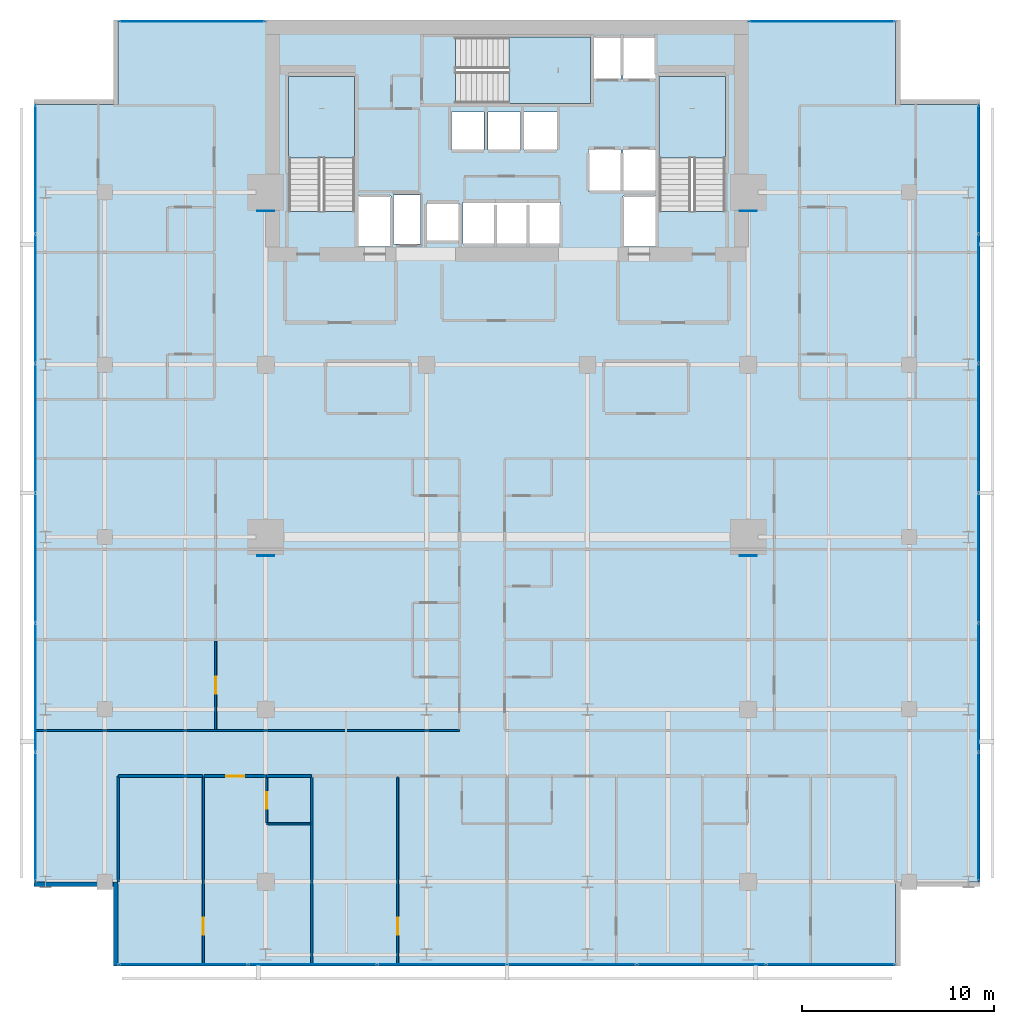
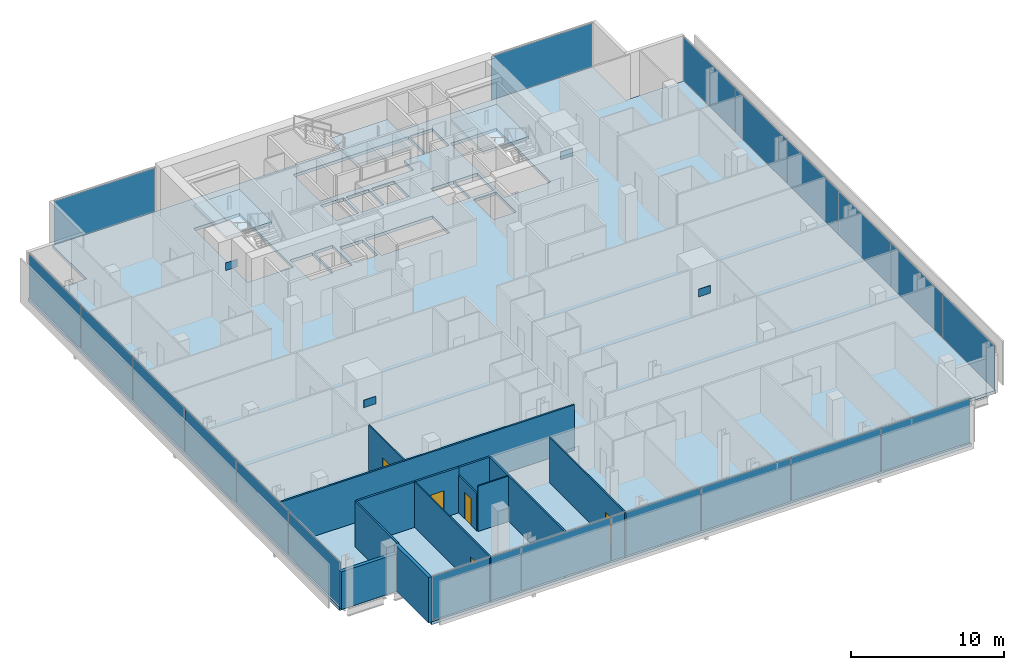
# One storey, part 26 of 33: 24 plates, 13 walls, 5 doors, 4 slabs, 5 openings, 8 elements without a shape of their own.
"""IFC4 building model written with IfcOpenShell, lengths in metres."""

from ifc_helpers import new_model, si_unit, direction, frame, frame_2d, origin, origin_2d, place, context, subcontext, project, spatial, polyline, rectangle, outline, extrude, material, layer, layer_set, type_object, element, fill, aggregate, save


model = new_model("IFC4")

# Units and contexts
model_context = context("Model", 3, precision=1e-05, world=origin(), true_north=direction((0.0, 1.0)))
body_context = subcontext(model_context, "Body", "Model", "MODEL_VIEW")
ifc_project = project(units=[si_unit("LENGTHUNIT", "METRE"), si_unit("AREAUNIT", "SQUARE_METRE"), si_unit("VOLUMEUNIT", "CUBIC_METRE"), si_unit("PLANEANGLEUNIT", "RADIAN"), si_unit("MASSUNIT", "GRAM", prefix="KILO")], contexts=[model_context])

# Site, building, storey
site_placement = place(None, origin())
site = spatial("IfcSite", under=ifc_project, at=site_placement, CompositionType="ELEMENT")
building_placement = place(site_placement, origin())
building = spatial("IfcBuilding", under=site, at=building_placement, Name="Maruvema Waterfront Hotel and Observation Tower", CompositionType="ELEMENT")
storey_placement = place(building_placement, frame((0.0, 0.0, 138.949951171875)))
storey = spatial("IfcBuildingStorey", under=building, at=storey_placement, Name="L33", CompositionType="ELEMENT", Elevation=138.949951171875)

# Slab
ifc_material_1 = material(Name="Concrete C50/60", Category="concrete")
ifc_layer_1 = layer(ifc_material_1, 0.239990234375, Name="Reinforced Concrete Floor Slab 240 mm")
ifc_layer_set_1 = layer_set([ifc_layer_1], Name="Concrete C50/60")
slab_type_1 = type_object("IfcSlabType", Name="Reinforced Concrete Floor Slab 240 mm", PredefinedType="FLOOR", material=ifc_layer_set_1)
slab_1_placement = place(storey_placement, frame((0.0, 0.0, -0.239990234375)))
element("IfcSlab", 1, at=slab_1_placement, inside=storey, type_object=slab_type_1, Name="L33 Structural Floor Slab", PredefinedType="FLOOR", context=body_context, shape_type="SweptSolid", body=[
    extrude(outline(polyline([(17.5, 4.60009765625), (58.10009765625, 4.60009765625), (58.10009765625, 9.0), (62.5, 9.0), (62.5, 49.60009765625), (58.10009765625, 49.60009765625), (58.10009765625, 54.0), (17.5, 54.0), (17.5, 49.60009765625), (13.10009765625, 49.60009765625), (13.10009765625, 9.0), (17.5, 9.0), (17.5, 4.60009765625)]), holes=[polyline([(26.39990234375, 44.00048828125), (26.39990234375, 51.050048828125), (29.85009765625, 51.050048828125), (29.85009765625, 44.00048828125), (26.39990234375, 44.00048828125)]), polyline([(30.050048828125, 44.800048828125), (31.75, 44.800048828125), (31.75, 42.169921875), (30.050048828125, 42.169921875), (30.050048828125, 44.800048828125)]), polyline([(31.8798828125, 44.860107421875), (33.280029296875, 44.860107421875), (33.280029296875, 42.2900390625), (31.8798828125, 42.2900390625), (31.8798828125, 44.860107421875)]), polyline([(33.60009765625, 44.449951171875), (35.300048828125, 44.449951171875), (35.300048828125, 42.449951171875), (33.60009765625, 42.449951171875), (33.60009765625, 44.449951171875)]), polyline([(34.89990234375, 49.199951171875), (36.60009765625, 49.199951171875), (36.60009765625, 47.199951171875), (34.89990234375, 47.199951171875), (34.89990234375, 49.199951171875)]), polyline([(36.800048828125, 49.199951171875), (38.5, 49.199951171875), (38.5, 47.199951171875), (36.800048828125, 47.199951171875), (36.800048828125, 49.199951171875)]), polyline([(35.5, 42.300048828125), (35.5, 44.5), (40.60009765625, 44.5), (40.60009765625, 42.300048828125), (35.5, 42.300048828125)]), polyline([(35.1005859375, 53.10009765625), (43.75, 53.10009765625), (43.75, 50.89990234375), (42.14990234375, 50.89990234375), (42.14990234375, 49.64990234375), (35.1005859375, 49.64990234375), (35.1005859375, 53.10009765625)]), polyline([(38.699951171875, 49.199951171875), (40.39990234375, 49.199951171875), (40.39990234375, 47.199951171875), (38.699951171875, 47.199951171875), (38.699951171875, 49.199951171875)]), polyline([(42.050048828125, 47.25), (43.75, 47.25), (43.75, 45.050048828125), (42.050048828125, 45.050048828125), (42.050048828125, 47.25)]), polyline([(43.85009765625, 44.800048828125), (45.550048828125, 44.800048828125), (45.550048828125, 42.169921875), (43.85009765625, 42.169921875), (43.85009765625, 44.800048828125)]), polyline([(43.85009765625, 47.25), (45.550048828125, 47.25), (45.550048828125, 45.050048828125), (43.85009765625, 45.050048828125), (43.85009765625, 47.25)]), polyline([(45.550048828125, 53.10009765625), (45.550048828125, 50.89990234375), (43.85009765625, 50.89990234375), (43.85009765625, 53.10009765625), (45.550048828125, 53.10009765625)]), polyline([(45.75, 44.00048828125), (45.75, 51.050048828125), (49.199951171875, 51.050048828125), (49.199951171875, 44.00048828125), (45.75, 44.00048828125)])]), origin(), (0.0, 0.0, 1.0), 0.239990234375),
])

# Curtain wall, plates
ifc_material_2 = material(Name="Anodised bronze aluminium and solar-control low-E IGU", Category="aluminium")
ifc_layer_2 = layer(ifc_material_2, 0.159912109375, Name="Zone 2 Amber Inner Thermal Curtain Wall System CW-03")
ifc_layer_set_2 = layer_set([ifc_layer_2], Name="Anodised bronze aluminium and solar-control low-E IGU")
curtain_wall_type = type_object("IfcCurtainWallType", Name="Zone 2 Amber Inner Thermal Curtain Wall System CW-03", PredefinedType="USERDEFINED", material=ifc_layer_set_2)
curtain_wall_1_placement = place(storey_placement, origin())
curtain_wall_1 = element("IfcCurtainWall", 2, at=curtain_wall_1_placement, inside=storey, type_object=curtain_wall_type, Name="L33 Curtain Wall CW-L33-S", ObjectType="UNITISED CURTAIN WALL", PredefinedType="USERDEFINED")
ifc_material_3 = material(Name="Laminated low-E solar-control double glazing", Category="glass")
ifc_layer_3 = layer(ifc_material_3, 0.035888671875, Name="Solar Control Double-Glazed Curtain Panel 36 mm")
ifc_layer_set_3 = layer_set([ifc_layer_3], Name="Laminated low-E solar-control double glazing")
plate_type_1 = type_object("IfcPlateType", Name="Solar Control Double-Glazed Curtain Panel 36 mm", PredefinedType="CURTAIN_PANEL", material=ifc_layer_set_3)
plate_1_placement = place(storey_placement, frame((20.8984375, 4.679931640625, 0.06005859375), z_axis=(0.0, 0.0, 1.0), x_axis=(1.0, 0.0, 0.0)))
plate_1 = element("IfcPlate", 3, at=plate_1_placement, type_object=plate_type_1, Name="CW-03 panel 1.1", PredefinedType="CURTAIN_PANEL", context=body_context, shape_type="SweptSolid", body=[
    extrude(rectangle(XDim=6.6767578125, YDim=0.028076171875, at=origin_2d()), origin(), (0.0, 0.0, 1.0), 3.489990234375),
])
plate_2_placement = place(storey_placement, frame((27.64990234375, 4.679931640625, 0.06005859375), z_axis=(0.0, 0.0, 1.0), x_axis=(1.0, 0.0, 0.0)))
plate_2 = element("IfcPlate", 4, at=plate_2_placement, type_object=plate_type_1, Name="CW-03 panel 2.1", PredefinedType="CURTAIN_PANEL", context=body_context, shape_type="SweptSolid", body=[
    extrude(rectangle(XDim=6.706787109375, YDim=0.028076171875, at=origin_2d()), origin(), (0.0, 0.0, 1.0), 3.489990234375),
])
plate_3_placement = place(storey_placement, frame((34.416748046875, 4.679931640625, 0.06005859375), z_axis=(0.0, 0.0, 1.0), x_axis=(1.0, 0.0, 0.0)))
plate_3 = element("IfcPlate", 5, at=plate_3_placement, type_object=plate_type_1, Name="CW-03 panel 3.1", PredefinedType="CURTAIN_PANEL", context=body_context, shape_type="SweptSolid", body=[
    extrude(rectangle(XDim=6.706787109375, YDim=0.028076171875, at=origin_2d()), origin(), (0.0, 0.0, 1.0), 3.489990234375),
])
plate_4_placement = place(storey_placement, frame((41.183349609375, 4.679931640625, 0.06005859375), z_axis=(0.0, 0.0, 1.0), x_axis=(1.0, 0.0, 0.0)))
plate_4 = element("IfcPlate", 6, at=plate_4_placement, type_object=plate_type_1, Name="CW-03 panel 4.1", PredefinedType="CURTAIN_PANEL", context=body_context, shape_type="SweptSolid", body=[
    extrude(rectangle(XDim=6.706787109375, YDim=0.028076171875, at=origin_2d()), origin(), (0.0, 0.0, 1.0), 3.489990234375),
])
plate_5_placement = place(storey_placement, frame((47.949951171875, 4.679931640625, 0.06005859375), z_axis=(0.0, 0.0, 1.0), x_axis=(1.0, 0.0, 0.0)))
plate_5 = element("IfcPlate", 7, at=plate_5_placement, type_object=plate_type_1, Name="CW-03 panel 5.1", PredefinedType="CURTAIN_PANEL", context=body_context, shape_type="SweptSolid", body=[
    extrude(rectangle(XDim=6.706787109375, YDim=0.028076171875, at=origin_2d()), origin(), (0.0, 0.0, 1.0), 3.489990234375),
])
plate_6_placement = place(storey_placement, frame((54.70166015625, 4.679931640625, 0.06005859375), z_axis=(0.0, 0.0, 1.0), x_axis=(1.0, 0.0, 0.0)))
plate_6 = element("IfcPlate", 8, at=plate_6_placement, type_object=plate_type_1, Name="CW-03 panel 6.1", PredefinedType="CURTAIN_PANEL", context=body_context, shape_type="SweptSolid", body=[
    extrude(rectangle(XDim=6.6767578125, YDim=0.028076171875, at=origin_2d()), origin(), (0.0, 0.0, 1.0), 3.489990234375),
])
aggregate(curtain_wall_1, [plate_1, plate_2, plate_3, plate_4, plate_5, plate_6])

curtain_wall_2_placement = place(storey_placement, origin())
curtain_wall_2 = element("IfcCurtainWall", 9, at=curtain_wall_2_placement, inside=storey, type_object=curtain_wall_type, Name="L33 Curtain Wall CW-L33-E", ObjectType="UNITISED CURTAIN WALL", PredefinedType="USERDEFINED")
plate_7_placement = place(storey_placement, frame((62.419921875, 12.3984375, 0.06005859375), z_axis=(0.0, 0.0, 1.0), x_axis=(0.0, 1.0, 0.0)))
plate_7 = element("IfcPlate", 10, at=plate_7_placement, type_object=plate_type_1, Name="CW-03 panel 1.1", PredefinedType="CURTAIN_PANEL", context=body_context, shape_type="SweptSolid", body=[
    extrude(rectangle(XDim=6.6767578125, YDim=0.028076171875, at=origin_2d()), origin(), (0.0, 0.0, 1.0), 3.489990234375),
])
plate_8_placement = place(storey_placement, frame((62.419921875, 19.14990234375, 0.06005859375), z_axis=(0.0, 0.0, 1.0), x_axis=(0.0, 1.0, 0.0)))
plate_8 = element("IfcPlate", 11, at=plate_8_placement, type_object=plate_type_1, Name="CW-03 panel 2.1", PredefinedType="CURTAIN_PANEL", context=body_context, shape_type="SweptSolid", body=[
    extrude(rectangle(XDim=6.706787109375, YDim=0.028076171875, at=origin_2d()), origin(), (0.0, 0.0, 1.0), 3.489990234375),
])
plate_9_placement = place(storey_placement, frame((62.419921875, 25.916748046875, 0.06005859375), z_axis=(0.0, 0.0, 1.0), x_axis=(0.0, 1.0, 0.0)))
plate_9 = element("IfcPlate", 12, at=plate_9_placement, type_object=plate_type_1, Name="CW-03 panel 3.1", PredefinedType="CURTAIN_PANEL", context=body_context, shape_type="SweptSolid", body=[
    extrude(rectangle(XDim=6.706787109375, YDim=0.028076171875, at=origin_2d()), origin(), (0.0, 0.0, 1.0), 3.489990234375),
])
plate_10_placement = place(storey_placement, frame((62.419921875, 32.683349609375, 0.06005859375), z_axis=(0.0, 0.0, 1.0), x_axis=(0.0, 1.0, 0.0)))
plate_10 = element("IfcPlate", 13, at=plate_10_placement, type_object=plate_type_1, Name="CW-03 panel 4.1", PredefinedType="CURTAIN_PANEL", context=body_context, shape_type="SweptSolid", body=[
    extrude(rectangle(XDim=6.706787109375, YDim=0.028076171875, at=origin_2d()), origin(), (0.0, 0.0, 1.0), 3.489990234375),
])
plate_11_placement = place(storey_placement, frame((62.419921875, 39.449951171875, 0.06005859375), z_axis=(0.0, 0.0, 1.0), x_axis=(0.0, 1.0, 0.0)))
plate_11 = element("IfcPlate", 14, at=plate_11_placement, type_object=plate_type_1, Name="CW-03 panel 5.1", PredefinedType="CURTAIN_PANEL", context=body_context, shape_type="SweptSolid", body=[
    extrude(rectangle(XDim=6.706787109375, YDim=0.028076171875, at=origin_2d()), origin(), (0.0, 0.0, 1.0), 3.489990234375),
])
plate_12_placement = place(storey_placement, frame((62.419921875, 46.20166015625, 0.06005859375), z_axis=(0.0, 0.0, 1.0), x_axis=(0.0, 1.0, 0.0)))
plate_12 = element("IfcPlate", 15, at=plate_12_placement, type_object=plate_type_1, Name="CW-03 panel 6.1", PredefinedType="CURTAIN_PANEL", context=body_context, shape_type="SweptSolid", body=[
    extrude(rectangle(XDim=6.6767578125, YDim=0.028076171875, at=origin_2d()), origin(), (0.0, 0.0, 1.0), 3.489990234375),
])
aggregate(curtain_wall_2, [plate_7, plate_8, plate_9, plate_10, plate_11, plate_12])

curtain_wall_3_placement = place(storey_placement, origin())
curtain_wall_3 = element("IfcCurtainWall", 16, at=curtain_wall_3_placement, inside=storey, type_object=curtain_wall_type, Name="L33 Curtain Wall CW-L33-W", ObjectType="UNITISED CURTAIN WALL", PredefinedType="USERDEFINED")
plate_13_placement = place(storey_placement, frame((13.179931640625, 46.20166015625, 0.06005859375), z_axis=(0.0, 0.0, 1.0), x_axis=(0.0, -1.0, 0.0)))
plate_13 = element("IfcPlate", 17, at=plate_13_placement, type_object=plate_type_1, Name="CW-03 panel 1.1", PredefinedType="CURTAIN_PANEL", context=body_context, shape_type="SweptSolid", body=[
    extrude(rectangle(XDim=6.6767578125, YDim=0.028076171875, at=origin_2d()), origin(), (0.0, 0.0, 1.0), 3.489990234375),
])
plate_14_placement = place(storey_placement, frame((13.179931640625, 39.449951171875, 0.06005859375), z_axis=(0.0, 0.0, 1.0), x_axis=(0.0, -1.0, 0.0)))
plate_14 = element("IfcPlate", 18, at=plate_14_placement, type_object=plate_type_1, Name="CW-03 panel 2.1", PredefinedType="CURTAIN_PANEL", context=body_context, shape_type="SweptSolid", body=[
    extrude(rectangle(XDim=6.706787109375, YDim=0.028076171875, at=origin_2d()), origin(), (0.0, 0.0, 1.0), 3.489990234375),
])
plate_15_placement = place(storey_placement, frame((13.179931640625, 32.683349609375, 0.06005859375), z_axis=(0.0, 0.0, 1.0), x_axis=(0.0, -1.0, 0.0)))
plate_15 = element("IfcPlate", 19, at=plate_15_placement, type_object=plate_type_1, Name="CW-03 panel 3.1", PredefinedType="CURTAIN_PANEL", context=body_context, shape_type="SweptSolid", body=[
    extrude(rectangle(XDim=6.706787109375, YDim=0.028076171875, at=origin_2d()), origin(), (0.0, 0.0, 1.0), 3.489990234375),
])
plate_16_placement = place(storey_placement, frame((13.179931640625, 25.916748046875, 0.06005859375), z_axis=(0.0, 0.0, 1.0), x_axis=(0.0, -1.0, 0.0)))
plate_16 = element("IfcPlate", 20, at=plate_16_placement, type_object=plate_type_1, Name="CW-03 panel 4.1", PredefinedType="CURTAIN_PANEL", context=body_context, shape_type="SweptSolid", body=[
    extrude(rectangle(XDim=6.706787109375, YDim=0.028076171875, at=origin_2d()), origin(), (0.0, 0.0, 1.0), 3.489990234375),
])
plate_17_placement = place(storey_placement, frame((13.179931640625, 19.14990234375, 0.06005859375), z_axis=(0.0, 0.0, 1.0), x_axis=(0.0, -1.0, 0.0)))
plate_17 = element("IfcPlate", 21, at=plate_17_placement, type_object=plate_type_1, Name="CW-03 panel 5.1", PredefinedType="CURTAIN_PANEL", context=body_context, shape_type="SweptSolid", body=[
    extrude(rectangle(XDim=6.706787109375, YDim=0.028076171875, at=origin_2d()), origin(), (0.0, 0.0, 1.0), 3.489990234375),
])
plate_18_placement = place(storey_placement, frame((13.179931640625, 12.3984375, 0.06005859375), z_axis=(0.0, 0.0, 1.0), x_axis=(0.0, -1.0, 0.0)))
plate_18 = element("IfcPlate", 22, at=plate_18_placement, type_object=plate_type_1, Name="CW-03 panel 6.1", PredefinedType="CURTAIN_PANEL", context=body_context, shape_type="SweptSolid", body=[
    extrude(rectangle(XDim=6.6767578125, YDim=0.028076171875, at=origin_2d()), origin(), (0.0, 0.0, 1.0), 3.489990234375),
])
aggregate(curtain_wall_3, [plate_13, plate_14, plate_15, plate_16, plate_17, plate_18])

# Curtain wall, plate
curtain_wall_4_placement = place(storey_placement, origin())
curtain_wall_4 = element("IfcCurtainWall", 23, at=curtain_wall_4_placement, inside=storey, type_object=curtain_wall_type, Name="L33 Curtain Wall CW-L33-NW", ObjectType="UNITISED CURTAIN WALL", PredefinedType="USERDEFINED")
plate_19_placement = place(storey_placement, frame((21.35009765625, 53.919921875, 0.06005859375), z_axis=(0.0, 0.0, 1.0), x_axis=(-1.0, 0.0, 0.0)))
plate_19 = element("IfcPlate", 24, at=plate_19_placement, type_object=plate_type_1, Name="CW-03 panel 1.1", PredefinedType="CURTAIN_PANEL", context=body_context, shape_type="SweptSolid", body=[
    extrude(rectangle(XDim=7.580078125, YDim=0.028076171875, at=origin_2d()), origin(), (0.0, 0.0, 1.0), 3.489990234375),
])
aggregate(curtain_wall_4, [plate_19])

curtain_wall_5_placement = place(storey_placement, origin())
curtain_wall_5 = element("IfcCurtainWall", 25, at=curtain_wall_5_placement, inside=storey, type_object=curtain_wall_type, Name="L33 Curtain Wall CW-L33-NE", ObjectType="UNITISED CURTAIN WALL", PredefinedType="USERDEFINED")
plate_20_placement = place(storey_placement, frame((54.25, 53.919921875, 0.06005859375), z_axis=(0.0, 0.0, 1.0), x_axis=(-1.0, 0.0, 0.0)))
plate_20 = element("IfcPlate", 26, at=plate_20_placement, type_object=plate_type_1, Name="CW-03 panel 1.1", PredefinedType="CURTAIN_PANEL", context=body_context, shape_type="SweptSolid", body=[
    extrude(rectangle(XDim=7.580078125, YDim=0.028076171875, at=origin_2d()), origin(), (0.0, 0.0, 1.0), 3.489990234375),
])
aggregate(curtain_wall_5, [plate_20])

# Stair, slab
ifc_material_4 = material(Name="Concrete C50/60", Category="concrete")
stair_type = type_object("IfcStairType", Name="Dogleg Exit Stair 1650 mm (22R x 175.0 mm)", PredefinedType="HALF_TURN_STAIR", material=ifc_material_4)
stair_1_placement = place(storey_placement, origin())
stair_1 = element("IfcStair", 27, at=stair_1_placement, inside=storey, type_object=stair_type, Name="L33 ST-01", PredefinedType="HALF_TURN_STAIR")
ifc_material_5 = material(Name="Concrete C50/60", Category="concrete")
ifc_layer_4 = layer(ifc_material_5, 0.219970703125, Name="Stair Concrete Landing Slab 220 mm")
ifc_layer_set_4 = layer_set([ifc_layer_4], Name="Concrete C50/60")
slab_type_2 = type_object("IfcSlabType", Name="Stair Concrete Landing Slab 220 mm", PredefinedType="LANDING", material=ifc_layer_set_4)
slab_2_placement = place(storey_placement, frame((0.0, 0.0, 1.705078125)))
slab_2 = element("IfcSlab", 28, at=slab_2_placement, type_object=slab_type_2, Name="ST-01 landing 1", PredefinedType="LANDING", context=body_context, shape_type="SweptSolid", body=[
    extrude(outline(polyline([(29.85009765625, 46.800048828125), (29.85009765625, 51.050048828125), (26.39990234375, 51.050048828125), (26.39990234375, 46.800048828125), (29.85009765625, 46.800048828125)])), origin(), (0.0, 0.0, 1.0), 0.219970703125),
])
aggregate(stair_1, [slab_2])

stair_2_placement = place(storey_placement, origin())
stair_2 = element("IfcStair", 29, at=stair_2_placement, inside=storey, type_object=stair_type, Name="L33 ST-02", PredefinedType="HALF_TURN_STAIR")
slab_3_placement = place(storey_placement, frame((0.0, 0.0, 1.705078125)))
slab_3 = element("IfcSlab", 30, at=slab_3_placement, type_object=slab_type_2, Name="ST-02 landing 1", PredefinedType="LANDING", context=body_context, shape_type="SweptSolid", body=[
    extrude(outline(polyline([(37.89990234375, 49.64990234375), (42.14990234375, 49.64990234375), (42.14990234375, 53.10009765625), (37.89990234375, 53.10009765625), (37.89990234375, 49.64990234375)])), origin(), (0.0, 0.0, 1.0), 0.219970703125),
])
aggregate(stair_2, [slab_3])

stair_3_placement = place(storey_placement, origin())
stair_3 = element("IfcStair", 31, at=stair_3_placement, inside=storey, type_object=stair_type, Name="L33 ST-03", PredefinedType="HALF_TURN_STAIR")
slab_4_placement = place(storey_placement, frame((0.0, 0.0, 1.705078125)))
slab_4 = element("IfcSlab", 32, at=slab_4_placement, type_object=slab_type_2, Name="ST-03 landing 1", PredefinedType="LANDING", context=body_context, shape_type="SweptSolid", body=[
    extrude(outline(polyline([(49.199951171875, 46.800048828125), (49.199951171875, 51.050048828125), (45.75, 51.050048828125), (45.75, 46.800048828125), (49.199951171875, 46.800048828125)])), origin(), (0.0, 0.0, 1.0), 0.219970703125),
])
aggregate(stair_3, [slab_4])

# Plates
ifc_material_6 = material(Name="Steel ABNT NBR 7007 AR 415 (ASTM A572 Grade 50)", Category="steel")
ifc_layer_5 = layer(ifc_material_6, 0.0400390625, Name="Structural Truss Node Gusset Plate 40 mm")
ifc_layer_set_5 = layer_set([ifc_layer_5], Name="Steel ABNT NBR 7007 AR 415 (ASTM A572 Grade 50)")
plate_type_2 = type_object("IfcPlateType", Name="Structural Truss Node Gusset Plate 40 mm", PredefinedType="USERDEFINED", material=ifc_layer_set_5)
for number, where, z_axis, x_axis, name in (
    (33, (25.199951171875, 26.030029296875, 1.5), (0.0, 0.0, 1.0), (1.0, 0.0, 0.0), "L33 MC-01 Moment Frame Continuity Gusset Plate"),
    (34, (50.39990234375, 26.030029296875, 1.5), (0.0, 0.0, 1.0), (1.0, 0.0, 0.0), "L33 MC-02 Moment Frame Continuity Gusset Plate"),
    (35, (25.199951171875, 44.030029296875, 1.5), (0.0, 0.0, 1.0), (1.0, 0.0, 0.0), "L33 MC-03 Moment Frame Continuity Gusset Plate"),
    (36, (50.39990234375, 44.030029296875, 1.5), (0.0, 0.0, 1.0), (1.0, 0.0, 0.0), "L33 MC-04 Moment Frame Continuity Gusset Plate"),
):
    element("IfcPlate", number, at=place(storey_placement, frame(where, z_axis=z_axis, x_axis=x_axis)), inside=storey, type_object=plate_type_2, Name=name, ObjectType="GUSSET_PLATE", PredefinedType="USERDEFINED", context=body_context, shape_type="SweptSolid", body=[
        extrude(rectangle(XDim=0.89990234375, YDim=0.0400390625, at=origin_2d()), origin(), (0.0, 0.0, 1.0), 0.60009765625),
    ])

# Walls
ifc_material_7 = material(Name="Twin-stud acoustic gypsum drywall", Category="gypsum")
ifc_layer_6 = layer(ifc_material_7, 0.14990234375, Name="Acoustic Corridor and Suite Demising Wall 150 mm")
ifc_layer_set_6 = layer_set([ifc_layer_6], Name="Twin-stud acoustic gypsum drywall")
wall_type_1 = type_object("IfcWallType", Name="Acoustic Corridor and Suite Demising Wall 150 mm", PredefinedType="PARTITIONING", material=ifc_layer_set_6)
wall_1_placement = place(storey_placement, frame((25.25, 14.52001953125, 0.0), z_axis=(0.0, 0.0, 1.0), x_axis=(1.0, 0.0, 0.0)))
element("IfcWall", 37, at=wall_1_placement, inside=storey, type_object=wall_type_1, Name="L33 Bath L33-S1 Back Wall 031", PredefinedType="PARTITIONING", context=body_context, shape_type="SweptSolid", body=[
    extrude(rectangle(XDim=2.330078125, YDim=0.14990234375, at=frame_2d((1.1650390625, 0.0))), origin(), (0.0, 0.0, 1.0), 3.610107421875),
])
wall_2_placement = place(storey_placement, frame((17.52001953125, 14.52001953125, 0.0), z_axis=(0.0, 0.0, 1.0), x_axis=(1.0, 0.0, 0.0)))
element("IfcWall", 38, at=wall_2_placement, inside=storey, type_object=wall_type_1, Name="L33 Bedroom L33-S1 Back Wall 034", PredefinedType="PARTITIONING", context=body_context, shape_type="SweptSolid", body=[
    extrude(rectangle(XDim=4.384033203125, YDim=0.14990234375, at=frame_2d((2.19189453125, 0.0))), origin(), (0.0, 0.0, 1.0), 3.610107421875),
])

# Wall, opening, door
wall_3_placement = place(storey_placement, frame((21.98388671875, 14.52001953125, 0.0), z_axis=(0.0, 0.0, 1.0), x_axis=(1.0, 0.0, 0.0)))
wall_3 = element("IfcWall", 39, at=wall_3_placement, inside=storey, type_object=wall_type_1, Name="L33 Unit L33-S1 Corridor Wall 035", PredefinedType="PARTITIONING", context=body_context, shape_type="SweptSolid", body=[
    extrude(rectangle(XDim=3.26611328125, YDim=0.14990234375, at=frame_2d((1.633056640625, 0.0))), origin(), (0.0, 0.0, 1.0), 3.610107421875),
])
opening_1_placement = place(wall_3_placement, frame((1.157958984375, 0.0, 0.0)))
opening_1 = element("IfcOpeningElement", 40, at=opening_1_placement, cuts=wall_3, Name="Opening DR-095", PredefinedType="OPENING", context=body_context, shape_type="SweptSolid", body=[
    extrude(rectangle(XDim=0.949951171875, YDim=2.14990234375, at=frame_2d((0.47509765625, 1.074951171875))), frame((0.0, 0.0849609375, 0.0), z_axis=(0.0, -1.0, 0.0), x_axis=(1.0, 0.0, 0.0)), (0.0, 0.0, 1.0), 0.169921875),
])
ifc_material_8 = material(Name="Acoustic solid-core hardwood timber leaf", Category="wood")
door_type_1 = type_object("IfcDoorType", Name="Guestroom Entrance Fire Door 950x2150 mm", OperationType="NOTDEFINED", PredefinedType="DOOR", material=ifc_material_8)
door_1_placement = place(opening_1_placement, frame((0.949951171875, 0.0, 0.0), z_axis=(0.0, 0.0, 1.0), x_axis=(-1.0, 0.0, 0.0)))
door_1 = element("IfcDoor", 41, at=door_1_placement, inside=storey, type_object=door_type_1, Name="L33 Unit L33-S1 Entrance Door", OperationType="SINGLE_SWING_LEFT", OverallHeight=2.14990234375, OverallWidth=0.949951171875, PredefinedType="DOOR", context=body_context, shape_type="SweptSolid", body=[
    extrude(rectangle(XDim=0.949951171875, YDim=2.14990234375, at=frame_2d((0.47509765625, 1.074951171875))), frame((0.0, 0.02490234375, 0.0), z_axis=(0.0, -1.0, 0.0), x_axis=(1.0, 0.0, 0.0)), (0.0, 0.0, 1.0), 0.050048828125),
])
fill(opening_1, door_1)

# Wall
ifc_material_9 = material(Name="Moisture-resistant cement-board drywall", Category="gypsum")
ifc_layer_7 = layer(ifc_material_9, 0.10009765625, Name="En-Suite Moisture-Resistant Partition 100 mm")
ifc_layer_set_7 = layer_set([ifc_layer_7], Name="Moisture-resistant cement-board drywall")
wall_type_2 = type_object("IfcWallType", Name="En-Suite Moisture-Resistant Partition 100 mm", PredefinedType="PARTITIONING", material=ifc_layer_set_7)
wall_4_placement = place(storey_placement, frame((25.25, 12.02001953125, 0.0), z_axis=(0.0, 0.0, 1.0), x_axis=(1.0, 0.0, 0.0)))
element("IfcWall", 42, at=wall_4_placement, inside=storey, type_object=wall_type_2, Name="L33 En-Suite L33-S1 South 032", PredefinedType="PARTITIONING", context=body_context, shape_type="SweptSolid", body=[
    extrude(rectangle(XDim=2.31005859375, YDim=0.10009765625, at=frame_2d((1.155029296875, 0.0))), origin(), (0.0, 0.0, 1.0), 3.610107421875),
])

# Wall, opening, door
wall_5_placement = place(storey_placement, frame((25.25, 12.080078125, 0.0), z_axis=(0.0, 0.0, 1.0), x_axis=(0.0, 1.0, 0.0)))
wall_5 = element("IfcWall", 43, at=wall_5_placement, inside=storey, type_object=wall_type_2, Name="L33 En-Suite L33-S1 West 033", PredefinedType="PARTITIONING", context=body_context, shape_type="SweptSolid", body=[
    extrude(rectangle(XDim=2.33984375, YDim=0.10009765625, at=frame_2d((1.169921875, 0.0))), origin(), (0.0, 0.0, 1.0), 2.998046875),
])
opening_2_placement = place(wall_5_placement, frame((0.7451171875, 0.0, 0.0)))
opening_2 = element("IfcOpeningElement", 44, at=opening_2_placement, cuts=wall_5, Name="Opening DR-085", PredefinedType="OPENING", context=body_context, shape_type="SweptSolid", body=[
    extrude(rectangle(XDim=0.85009765625, YDim=2.10009765625, at=frame_2d((0.425048828125, 1.050048828125))), frame((0.0, 0.06005859375, 0.0), z_axis=(0.0, -1.0, 0.0), x_axis=(1.0, 0.0, 0.0)), (0.0, 0.0, 1.0), 0.1201171875),
])
ifc_material_10 = material(Name="Moisture-resistant solid timber leaf", Category="wood")
door_type_2 = type_object("IfcDoorType", Name="En-Suite Bathroom Door 850x2100 mm", OperationType="NOTDEFINED", PredefinedType="DOOR", material=ifc_material_10)
door_2_placement = place(opening_2_placement, origin())
door_2 = element("IfcDoor", 45, at=door_2_placement, inside=storey, type_object=door_type_2, Name="L33 En-Suite L33-S1 Door", OperationType="SINGLE_SWING_RIGHT", OverallHeight=2.10009765625, OverallWidth=0.85009765625, PredefinedType="DOOR", context=body_context, shape_type="SweptSolid", body=[
    extrude(rectangle(XDim=0.85009765625, YDim=2.10009765625, at=frame_2d((0.425048828125, 1.050048828125))), frame((0.0, 0.02490234375, 0.0), z_axis=(0.0, -1.0, 0.0), x_axis=(1.0, 0.0, 0.0)), (0.0, 0.0, 1.0), 0.050048828125),
])
fill(opening_2, door_2)

wall_6_placement = place(storey_placement, frame((21.944091796875, 4.6298828125, 0.0), z_axis=(0.0, 0.0, 1.0), x_axis=(0.0, 1.0, 0.0)))
wall_6 = element("IfcWall", 46, at=wall_6_placement, inside=storey, type_object=wall_type_2, Name="L33 Suite L33-S1 Split 036", PredefinedType="PARTITIONING", context=body_context, shape_type="SweptSolid", body=[
    extrude(rectangle(XDim=9.830078125, YDim=0.10009765625, at=frame_2d((4.9150390625, 0.0))), origin(), (0.0, 0.0, 1.0), 3.610107421875),
])
opening_3_placement = place(wall_6_placement, frame((1.60009765625, 0.0, 0.0)))
opening_3 = element("IfcOpeningElement", 47, at=opening_3_placement, cuts=wall_6, Name="Opening DR-090", PredefinedType="OPENING", context=body_context, shape_type="SweptSolid", body=[
    extrude(rectangle(XDim=0.89990234375, YDim=2.10009765625, at=frame_2d((0.449951171875, 1.050048828125))), frame((0.0, 0.06005859375, 0.0), z_axis=(0.0, -1.0, 0.0), x_axis=(1.0, 0.0, 0.0)), (0.0, 0.0, 1.0), 0.1201171875),
])
ifc_material_11 = material(Name="Solid-core lacquered timber leaf", Category="wood")
door_type_3 = type_object("IfcDoorType", Name="Accessible Toilet and Room Door 900x2100 mm", OperationType="NOTDEFINED", PredefinedType="DOOR", material=ifc_material_11)
door_3_placement = place(opening_3_placement, frame((0.89990234375, 0.0, 0.0), z_axis=(0.0, 0.0, 1.0), x_axis=(-1.0, 0.0, 0.0)))
door_3 = element("IfcDoor", 48, at=door_3_placement, inside=storey, type_object=door_type_3, Name="L33 Suite L33-S1 Bedroom Door", OperationType="SINGLE_SWING_RIGHT", OverallHeight=2.10009765625, OverallWidth=0.89990234375, PredefinedType="DOOR", context=body_context, shape_type="SweptSolid", body=[
    extrude(rectangle(XDim=0.89990234375, YDim=2.10009765625, at=frame_2d((0.449951171875, 1.050048828125))), frame((0.0, 0.02490234375, 0.0), z_axis=(0.0, -1.0, 0.0), x_axis=(1.0, 0.0, 0.0)), (0.0, 0.0, 1.0), 0.050048828125),
])
fill(opening_3, door_3)

wall_7_placement = place(storey_placement, frame((32.087890625, 4.6298828125, 0.0), z_axis=(0.0, 0.0, 1.0), x_axis=(0.0, 1.0, 0.0)))
wall_7 = element("IfcWall", 49, at=wall_7_placement, inside=storey, type_object=wall_type_2, Name="L33 Suite L33-S2 Split 043", PredefinedType="PARTITIONING", context=body_context, shape_type="SweptSolid", body=[
    extrude(rectangle(XDim=9.830078125, YDim=0.10009765625, at=frame_2d((4.9150390625, 0.0))), origin(), (0.0, 0.0, 1.0), 3.610107421875),
])
opening_4_placement = place(wall_7_placement, frame((1.60009765625, 0.0, 0.0)))
opening_4 = element("IfcOpeningElement", 50, at=opening_4_placement, cuts=wall_7, Name="Opening DR-090", PredefinedType="OPENING", context=body_context, shape_type="SweptSolid", body=[
    extrude(rectangle(XDim=0.89990234375, YDim=2.10009765625, at=frame_2d((0.449951171875, 1.050048828125))), frame((0.0, 0.06005859375, 0.0), z_axis=(0.0, -1.0, 0.0), x_axis=(1.0, 0.0, 0.0)), (0.0, 0.0, 1.0), 0.1201171875),
])
door_4_placement = place(opening_4_placement, frame((0.89990234375, 0.0, 0.0), z_axis=(0.0, 0.0, 1.0), x_axis=(-1.0, 0.0, 0.0)))
door_4 = element("IfcDoor", 51, at=door_4_placement, inside=storey, type_object=door_type_3, Name="L33 Suite L33-S2 Bedroom Door", OperationType="SINGLE_SWING_LEFT", OverallHeight=2.10009765625, OverallWidth=0.89990234375, PredefinedType="DOOR", context=body_context, shape_type="SweptSolid", body=[
    extrude(rectangle(XDim=0.89990234375, YDim=2.10009765625, at=frame_2d((0.449951171875, 1.050048828125))), frame((0.0, 0.02490234375, 0.0), z_axis=(0.0, -1.0, 0.0), x_axis=(1.0, 0.0, 0.0)), (0.0, 0.0, 1.0), 0.050048828125),
])
fill(opening_4, door_4)

wall_8_placement = place(storey_placement, frame((22.589599609375, 16.9599609375, 0.0), z_axis=(0.0, 0.0, 1.0), x_axis=(0.0, 1.0, 0.0)))
wall_8 = element("IfcWall", 52, at=wall_8_placement, inside=storey, type_object=wall_type_2, Name="L33 Suite L33-W1 Split 066", PredefinedType="PARTITIONING", context=body_context, shape_type="SweptSolid", body=[
    extrude(rectangle(XDim=4.610107421875, YDim=0.10009765625, at=frame_2d((2.30517578125, 0.0))), origin(), (0.0, 0.0, 1.0), 3.610107421875),
])
opening_5_placement = place(wall_8_placement, frame((1.85498046875, 0.0, 0.0)))
opening_5 = element("IfcOpeningElement", 53, at=opening_5_placement, cuts=wall_8, Name="Opening DR-090", PredefinedType="OPENING", context=body_context, shape_type="SweptSolid", body=[
    extrude(rectangle(XDim=0.89990234375, YDim=2.10009765625, at=frame_2d((0.449951171875, 1.050048828125))), frame((0.0, 0.06005859375, 0.0), z_axis=(0.0, -1.0, 0.0), x_axis=(1.0, 0.0, 0.0)), (0.0, 0.0, 1.0), 0.1201171875),
])
door_5_placement = place(opening_5_placement, origin())
door_5 = element("IfcDoor", 54, at=door_5_placement, inside=storey, type_object=door_type_3, Name="L33 Suite L33-W1 Bedroom Door", OperationType="SINGLE_SWING_RIGHT", OverallHeight=2.10009765625, OverallWidth=0.89990234375, PredefinedType="DOOR", context=body_context, shape_type="SweptSolid", body=[
    extrude(rectangle(XDim=0.89990234375, YDim=2.10009765625, at=frame_2d((0.449951171875, 1.050048828125))), frame((0.0, 0.02490234375, 0.0), z_axis=(0.0, -1.0, 0.0), x_axis=(1.0, 0.0, 0.0)), (0.0, 0.0, 1.0), 0.050048828125),
])
fill(opening_5, door_5)

# Walls
ifc_material_12 = material(Name="Precast concrete C45/55 with honed Pernambuco granite facing", Category="masonry")
ifc_layer_8 = layer(ifc_material_12, 0.260009765625, Name="Exterior Granite Clad Spandrel and Pier Wall 260 mm")
ifc_layer_set_8 = layer_set([ifc_layer_8], Name="Precast concrete C45/55 with honed Pernambuco granite facing")
wall_type_3 = type_object("IfcWallType", Name="Exterior Granite Clad Spandrel and Pier Wall 260 mm", PredefinedType="SOLIDWALL", material=ifc_layer_set_8)
wall_9_placement = place(storey_placement, frame((17.3701171875, 4.60009765625, 0.0), z_axis=(0.0, 0.0, 1.0), x_axis=(0.0, 1.0, 0.0)))
element("IfcWall", 55, at=wall_9_placement, inside=storey, type_object=wall_type_3, Name="L33 Corner Notch Granite Pier Wall SW1", PredefinedType="SOLIDWALL", context=body_context, shape_type="SweptSolid", body=[
    extrude(rectangle(XDim=4.39990234375, YDim=0.260009765625, at=frame_2d((2.199951171875, 0.0))), origin(), (0.0, 0.0, 1.0), 3.610107421875),
])
wall_10_placement = place(storey_placement, frame((17.5, 8.8701171875, 0.0), z_axis=(0.0, 0.0, 1.0), x_axis=(-1.0, 0.0, 0.0)))
element("IfcWall", 56, at=wall_10_placement, inside=storey, type_object=wall_type_3, Name="L33 Corner Notch Granite Pier Wall SW2", PredefinedType="SOLIDWALL", context=body_context, shape_type="SweptSolid", body=[
    extrude(rectangle(XDim=4.39990234375, YDim=0.260009765625, at=frame_2d((2.199951171875, 0.0))), origin(), (0.0, 0.0, 1.0), 2.998046875),
])
ifc_material_13 = material(Name="Acoustic gypsum plasterboard drywall", Category="gypsum")
ifc_layer_9 = layer(ifc_material_13, 0.125, Name="Guestroom Acoustic Demising Wall 125 mm")
ifc_layer_set_9 = layer_set([ifc_layer_9], Name="Acoustic gypsum plasterboard drywall")
wall_type_4 = type_object("IfcWallType", Name="Guestroom Acoustic Demising Wall 125 mm", PredefinedType="PARTITIONING", material=ifc_layer_set_9)
wall_11_placement = place(storey_placement, frame((17.5, 9.0, 0.0), z_axis=(0.0, 0.0, 1.0), x_axis=(0.0, 1.0, 0.0)))
element("IfcWall", 57, at=wall_11_placement, inside=storey, type_object=wall_type_4, Name="L33 Z2 S West End 029", PredefinedType="PARTITIONING", context=body_context, shape_type="SweptSolid", body=[
    extrude(rectangle(XDim=5.52001953125, YDim=0.125, at=frame_2d((2.760009765625, 0.0))), origin(), (0.0, 0.0, 1.0), 3.610107421875),
])
wall_12_placement = place(storey_placement, frame((27.60009765625, 4.699951171875, 0.0), z_axis=(0.0, 0.0, 1.0), x_axis=(0.0, 1.0, 0.0)))
element("IfcWall", 58, at=wall_12_placement, inside=storey, type_object=wall_type_4, Name="L33 Z2 S Demising 2 037", PredefinedType="PARTITIONING", context=body_context, shape_type="SweptSolid", body=[
    extrude(rectangle(XDim=9.820068359375, YDim=0.125, at=frame_2d((4.91015625, 0.0))), origin(), (0.0, 0.0, 1.0), 3.610107421875),
])
wall_13_placement = place(storey_placement, frame((13.199951171875, 16.89990234375, 0.0), z_axis=(0.0, 0.0, 1.0), x_axis=(1.0, 0.0, 0.0)))
element("IfcWall", 59, at=wall_13_placement, inside=storey, type_object=wall_type_4, Name="L33 Z2 W Bot End 058", PredefinedType="PARTITIONING", context=body_context, shape_type="SweptSolid", body=[
    extrude(rectangle(XDim=22.1201171875, YDim=0.125, at=frame_2d((11.06005859375, 0.0))), origin(), (0.0, 0.0, 1.0), 3.610107421875),
])

save(model, "model.ifc")
